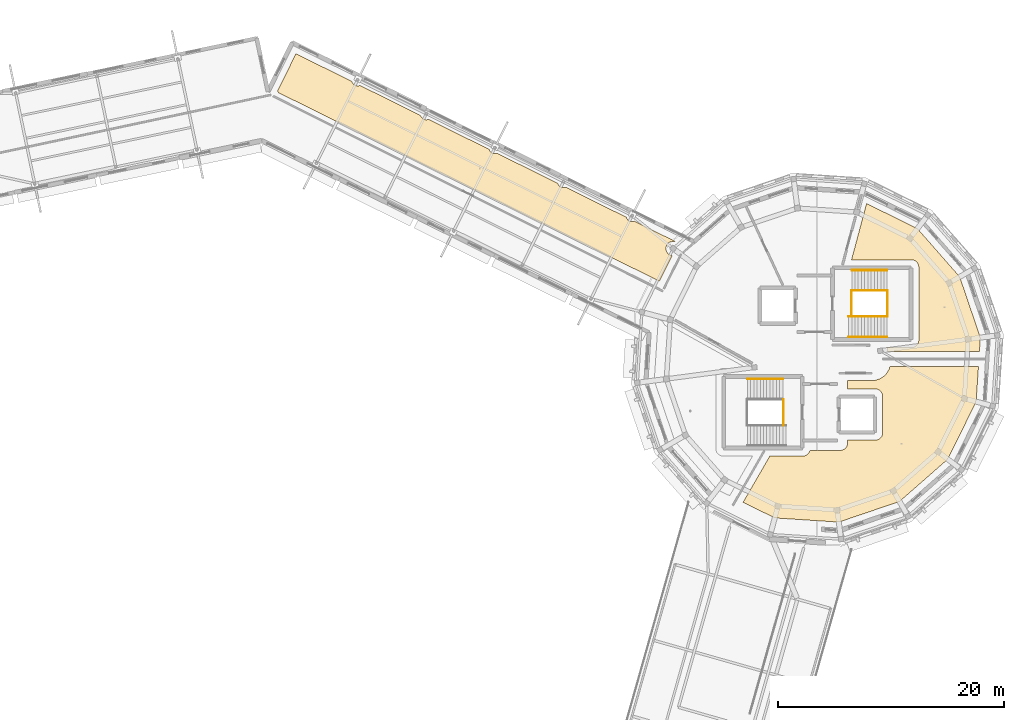
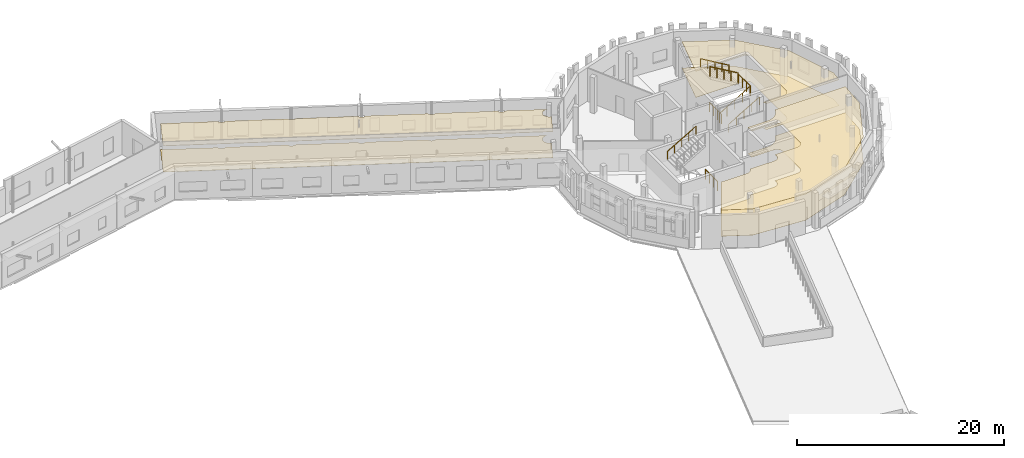
# One storey, part 68 of 68: 8 railings, 6 coverings.
"""IFC4 building model written with IfcOpenShell, lengths in metres."""

from ifc_helpers import new_model, si_unit, direction, frame, origin, origin_2d, place, context, subcontext, project, spatial, polyline, circle, outline, extrude, material, layer, layer_set, type_object, element, save


model = new_model("IFC4")

# Units and contexts
model_context = context("Model", 3, precision=1e-05, world=origin(), true_north=direction((0.0, 1.0)))
body_context = subcontext(model_context, "Body", "Model", "MODEL_VIEW")
ifc_project = project(units=[si_unit("LENGTHUNIT", "METRE"), si_unit("AREAUNIT", "SQUARE_METRE"), si_unit("VOLUMEUNIT", "CUBIC_METRE"), si_unit("PLANEANGLEUNIT", "RADIAN"), si_unit("MASSUNIT", "GRAM", prefix="KILO")], contexts=[model_context])

# Site, building, storey
site_placement = place(None, origin())
site = spatial("IfcSite", under=ifc_project, at=site_placement, CompositionType="ELEMENT")
building_placement = place(site_placement, origin())
building = spatial("IfcBuilding", under=site, at=building_placement, Name="Wrenclough Park School", CompositionType="ELEMENT")
storey_placement = place(building_placement, frame((0.0, 0.0, 12.60009765625)))
storey = spatial("IfcBuildingStorey", under=building, at=storey_placement, Name="L03", CompositionType="ELEMENT", Elevation=12.60009765625)

# Coverings
ifc_material_1 = material(Name="Class A mineral-fibre acoustic ceiling raft", Category="gypsum")
ifc_layer_1 = layer(ifc_material_1, 0.044921875)
ifc_layer_set_1 = layer_set([ifc_layer_1], Name="Class A mineral-fibre acoustic ceiling raft")
covering_type_1 = type_object("IfcCoveringType", Name="INT-COV-CEIL", PredefinedType="CEILING", material=ifc_layer_set_1)
covering_1_placement = place(storey_placement, frame((0.0, 0.0, 3.054931640625)))
element("IfcCovering", 1, at=covering_1_placement, inside=storey, type_object=covering_type_1, Name="Main Learning Resource Library acoustic ceiling raft", PredefinedType="CEILING", context=body_context, shape_type="SweptSolid", body=[
    extrude(outline(polyline([(176.52001953125, 85.429931640625), (173.851806640625, 85.429931640625), (173.820556640625, 85.331298828125), (173.760498046875, 85.218994140625), (173.722412109375, 85.16748046875), (173.63232421875, 85.077392578125), (173.5810546875, 85.03955078125), (173.46875, 84.9794921875), (173.3466796875, 84.9423828125), (173.28369140625, 84.93310546875), (170.302734375, 84.929931640625), (167.94189453125, 80.841064453125), (170.738525390625, 79.4619140625), (176.39697265625, 79.091064453125), (181.7666015625, 80.913818359375), (186.030029296875, 84.652587890625), (188.5380859375, 89.738525390625), (188.7421875, 92.85009765625), (180.92138671875, 92.85009765625), (180.852294921875, 92.6240234375), (180.677734375, 92.30908203125), (180.6162109375, 92.2197265625), (180.431884765625, 92.0263671875), (180.32861328125, 91.939697265625), (180.096435546875, 91.7890625), (179.760009765625, 91.660888671875), (179.65771484375, 91.6328125), (179.60498046875, 91.625), (179.33251953125, 91.60009765625), (177.16455078125, 91.60009765625), (177.169921875, 91.52001953125), (177.169921875, 90.8701171875), (179.68359375, 90.866943359375), (179.80859375, 90.842041015625), (179.86865234375, 90.820556640625), (179.981201171875, 90.760498046875), (180.07958984375, 90.6796875), (180.160400390625, 90.5810546875), (180.193115234375, 90.5263671875), (180.241943359375, 90.40869140625), (180.257568359375, 90.3466796875), (180.27001953125, 90.219970703125), (180.266845703125, 86.916259765625), (180.257568359375, 86.853271484375), (180.220458984375, 86.731201171875), (180.193115234375, 86.673583984375), (180.12255859375, 86.567626953125), (180.07958984375, 86.5205078125), (179.981201171875, 86.439453125), (179.86865234375, 86.37939453125), (179.746826171875, 86.342529296875), (179.6201171875, 86.330078125), (177.169921875, 86.330078125), (177.169921875, 86.080078125), (177.157470703125, 85.953125), (177.12060546875, 85.831298828125), (177.060546875, 85.718994140625), (177.0224609375, 85.66748046875), (176.932373046875, 85.577392578125), (176.826416015625, 85.5068359375), (176.708740234375, 85.4580078125), (176.646728515625, 85.4423828125), (176.52001953125, 85.429931640625)])), origin(), (0.0, 0.0, 1.0), 0.044921875),
])
covering_2_placement = place(storey_placement, frame((0.0, 0.0, 3.054931640625)))
element("IfcCovering", 2, at=covering_2_placement, inside=storey, type_object=covering_type_1, Name="Quiet Reading Library Gallery acoustic ceiling raft", PredefinedType="CEILING", context=body_context, shape_type="SweptSolid", body=[
    extrude(outline(polyline([(182.820068359375, 94.530029296875), (180.623291015625, 94.530029296875), (180.669189453125, 94.418212890625), (180.6845703125, 94.356689453125), (180.69384765625, 94.294189453125), (180.694091796875, 94.169921875), (188.82861328125, 94.169921875), (188.908935546875, 95.39697265625), (187.086181640625, 100.7666015625), (183.347412109375, 105.030029296875), (178.85595703125, 107.2451171875), (178.650390625, 106.477783203125), (178.63818359375, 106.361328125), (178.622314453125, 106.297607421875), (178.5673828125, 106.168701171875), (177.522705078125, 102.27001953125), (182.8837890625, 102.266845703125), (182.94677734375, 102.257568359375), (183.068603515625, 102.220458984375), (183.18115234375, 102.160400390625), (183.232421875, 102.12255859375), (183.322509765625, 102.032470703125), (183.360595703125, 101.981201171875), (183.393310546875, 101.926513671875), (183.44189453125, 101.80859375), (183.45751953125, 101.746826171875), (183.469970703125, 101.6201171875), (183.466796875, 95.1162109375), (183.44189453125, 94.9912109375), (183.393310546875, 94.87353515625), (183.322509765625, 94.767578125), (183.232421875, 94.677490234375), (183.12646484375, 94.606689453125), (183.0087890625, 94.55810546875), (182.94677734375, 94.54248046875), (182.820068359375, 94.530029296875)])), origin(), (0.0, 0.0, 1.0), 0.044921875),
])
covering_3_placement = place(storey_placement, frame((0.0, 0.0, 3.054931640625)))
element("IfcCovering", 3, at=covering_3_placement, inside=storey, type_object=covering_type_1, Name="Sixth Form Tutorial Classroom L03 acoustic ceiling raft", PredefinedType="CEILING", context=body_context, shape_type="SweptSolid", body=[
    extrude(outline(polyline([(126.8916015625, 117.036376953125), (160.544189453125, 100.3837890625), (161.661376953125, 102.635498046875), (161.579833984375, 102.65380859375), (161.520263671875, 102.675048828125), (161.40869140625, 102.734619140625), (161.310791015625, 102.81494140625), (161.230712890625, 102.91259765625), (161.171142578125, 103.024169921875), (161.134521484375, 103.145263671875), (161.1220703125, 103.27099609375), (161.134521484375, 103.396728515625), (161.14990234375, 103.458251953125), (161.1982421875, 103.5751953125), (161.268310546875, 103.68017578125), (161.35791015625, 103.76953125), (161.462890625, 103.83984375), (161.579833984375, 103.88818359375), (161.703857421875, 103.912841796875), (161.830078125, 103.912841796875), (161.892822265625, 103.903564453125), (161.9833984375, 103.877685546875), (158.331298828125, 105.68505859375), (158.234375, 105.655517578125), (158.182861328125, 105.64794921875), (158.0791015625, 105.64794921875), (157.977294921875, 105.668212890625), (157.88134765625, 105.7080078125), (157.795166015625, 105.765625), (157.7216796875, 105.839111328125), (157.6640625, 105.92529296875), (157.620361328125, 106.036865234375), (152.268798828125, 108.68505859375), (152.17138671875, 108.655517578125), (152.119873046875, 108.64794921875), (152.01611328125, 108.64794921875), (151.914306640625, 108.668212890625), (151.818359375, 108.7080078125), (151.732177734375, 108.765625), (151.65869140625, 108.839111328125), (151.60107421875, 108.92529296875), (151.557373046875, 109.037109375), (146.206298828125, 111.684814453125), (146.109375, 111.655517578125), (146.057861328125, 111.64794921875), (145.9541015625, 111.64794921875), (145.852294921875, 111.668212890625), (145.75634765625, 111.7080078125), (145.670166015625, 111.765625), (145.5966796875, 111.839111328125), (145.5390625, 111.92529296875), (145.495361328125, 112.036865234375), (140.1435546875, 114.68505859375), (140.04638671875, 114.655517578125), (139.994873046875, 114.64794921875), (139.89111328125, 114.64794921875), (139.789306640625, 114.668212890625), (139.693359375, 114.7080078125), (139.607177734375, 114.765625), (139.53369140625, 114.839111328125), (139.47607421875, 114.92529296875), (139.432373046875, 115.037109375), (134.081298828125, 117.684814453125), (133.984375, 117.655517578125), (133.932861328125, 117.64794921875), (133.8291015625, 117.64794921875), (133.727294921875, 117.668212890625), (133.63134765625, 117.7080078125), (133.545166015625, 117.765625), (133.4716796875, 117.839111328125), (133.4140625, 117.92529296875), (133.370361328125, 118.036865234375), (128.425048828125, 120.48388671875), (126.794677734375, 117.189453125), (126.856689453125, 117.10400390625), (126.8916015625, 117.036376953125)])), origin(), (0.0, 0.0, 1.0), 0.044921875),
])
ifc_material_2 = material(Name="Acoustic natural linoleum school flooring", Category="wood")
ifc_layer_2 = layer(ifc_material_2, 0.014892578125)
ifc_layer_set_2 = layer_set([ifc_layer_2], Name="Acoustic natural linoleum school flooring")
covering_type_2 = type_object("IfcCoveringType", Name="INT-COV-FLOOR1", PredefinedType="FLOORING", material=ifc_layer_set_2)
covering_4_placement = place(storey_placement, origin())
element("IfcCovering", 4, at=covering_4_placement, inside=storey, type_object=covering_type_2, Name="Main Learning Resource Library floor finish", PredefinedType="FLOORING", context=body_context, shape_type="SweptSolid", body=[
    extrude(outline(polyline([(176.52001953125, 85.429931640625), (173.851806640625, 85.429931640625), (173.820556640625, 85.331298828125), (173.760498046875, 85.218994140625), (173.722412109375, 85.16748046875), (173.63232421875, 85.077392578125), (173.5810546875, 85.03955078125), (173.46875, 84.9794921875), (173.3466796875, 84.9423828125), (173.28369140625, 84.93310546875), (170.302734375, 84.929931640625), (167.94189453125, 80.841064453125), (170.738525390625, 79.4619140625), (176.39697265625, 79.091064453125), (181.7666015625, 80.913818359375), (186.030029296875, 84.652587890625), (188.5380859375, 89.738525390625), (188.7421875, 92.85009765625), (180.92138671875, 92.85009765625), (180.852294921875, 92.6240234375), (180.677734375, 92.30908203125), (180.6162109375, 92.2197265625), (180.431884765625, 92.0263671875), (180.32861328125, 91.939697265625), (180.096435546875, 91.7890625), (179.760009765625, 91.660888671875), (179.65771484375, 91.6328125), (179.60498046875, 91.625), (179.33251953125, 91.60009765625), (177.16455078125, 91.60009765625), (177.169921875, 91.52001953125), (177.169921875, 90.8701171875), (179.68359375, 90.866943359375), (179.80859375, 90.842041015625), (179.86865234375, 90.820556640625), (179.981201171875, 90.760498046875), (180.07958984375, 90.6796875), (180.160400390625, 90.5810546875), (180.193115234375, 90.5263671875), (180.241943359375, 90.40869140625), (180.257568359375, 90.3466796875), (180.27001953125, 90.219970703125), (180.266845703125, 86.916259765625), (180.257568359375, 86.853271484375), (180.220458984375, 86.731201171875), (180.193115234375, 86.673583984375), (180.12255859375, 86.567626953125), (180.07958984375, 86.5205078125), (179.981201171875, 86.439453125), (179.86865234375, 86.37939453125), (179.746826171875, 86.342529296875), (179.6201171875, 86.330078125), (177.169921875, 86.330078125), (177.169921875, 86.080078125), (177.157470703125, 85.953125), (177.12060546875, 85.831298828125), (177.060546875, 85.718994140625), (177.0224609375, 85.66748046875), (176.932373046875, 85.577392578125), (176.826416015625, 85.5068359375), (176.708740234375, 85.4580078125), (176.646728515625, 85.4423828125), (176.52001953125, 85.429931640625)])), origin(), (0.0, 0.0, 1.0), 0.014892578125),
])
covering_5_placement = place(storey_placement, origin())
element("IfcCovering", 5, at=covering_5_placement, inside=storey, type_object=covering_type_2, Name="Quiet Reading Library Gallery floor finish", PredefinedType="FLOORING", context=body_context, shape_type="SweptSolid", body=[
    extrude(outline(polyline([(182.820068359375, 94.530029296875), (180.623291015625, 94.530029296875), (180.669189453125, 94.418212890625), (180.6845703125, 94.356689453125), (180.69384765625, 94.294189453125), (180.694091796875, 94.169921875), (188.82861328125, 94.169921875), (188.908935546875, 95.39697265625), (187.086181640625, 100.7666015625), (183.347412109375, 105.030029296875), (178.85595703125, 107.2451171875), (178.650390625, 106.477783203125), (178.63818359375, 106.361328125), (178.622314453125, 106.297607421875), (178.5673828125, 106.168701171875), (177.522705078125, 102.27001953125), (182.8837890625, 102.266845703125), (182.94677734375, 102.257568359375), (183.068603515625, 102.220458984375), (183.18115234375, 102.160400390625), (183.232421875, 102.12255859375), (183.322509765625, 102.032470703125), (183.360595703125, 101.981201171875), (183.393310546875, 101.926513671875), (183.44189453125, 101.80859375), (183.45751953125, 101.746826171875), (183.469970703125, 101.6201171875), (183.466796875, 95.1162109375), (183.44189453125, 94.9912109375), (183.393310546875, 94.87353515625), (183.322509765625, 94.767578125), (183.232421875, 94.677490234375), (183.12646484375, 94.606689453125), (183.0087890625, 94.55810546875), (182.94677734375, 94.54248046875), (182.820068359375, 94.530029296875)])), origin(), (0.0, 0.0, 1.0), 0.014892578125),
])
covering_6_placement = place(storey_placement, origin())
element("IfcCovering", 6, at=covering_6_placement, inside=storey, type_object=covering_type_2, Name="Sixth Form Tutorial Classroom L03 floor finish", PredefinedType="FLOORING", context=body_context, shape_type="SweptSolid", body=[
    extrude(outline(polyline([(126.8916015625, 117.036376953125), (160.544189453125, 100.3837890625), (161.661376953125, 102.635498046875), (161.579833984375, 102.65380859375), (161.520263671875, 102.675048828125), (161.40869140625, 102.734619140625), (161.310791015625, 102.81494140625), (161.230712890625, 102.91259765625), (161.171142578125, 103.024169921875), (161.134521484375, 103.145263671875), (161.1220703125, 103.27099609375), (161.134521484375, 103.396728515625), (161.14990234375, 103.458251953125), (161.1982421875, 103.5751953125), (161.268310546875, 103.68017578125), (161.35791015625, 103.76953125), (161.462890625, 103.83984375), (161.579833984375, 103.88818359375), (161.703857421875, 103.912841796875), (161.830078125, 103.912841796875), (161.892822265625, 103.903564453125), (161.9833984375, 103.877685546875), (158.331298828125, 105.68505859375), (158.234375, 105.655517578125), (158.182861328125, 105.64794921875), (158.0791015625, 105.64794921875), (157.977294921875, 105.668212890625), (157.88134765625, 105.7080078125), (157.795166015625, 105.765625), (157.7216796875, 105.839111328125), (157.6640625, 105.92529296875), (157.620361328125, 106.036865234375), (152.268798828125, 108.68505859375), (152.17138671875, 108.655517578125), (152.119873046875, 108.64794921875), (152.01611328125, 108.64794921875), (151.914306640625, 108.668212890625), (151.818359375, 108.7080078125), (151.732177734375, 108.765625), (151.65869140625, 108.839111328125), (151.60107421875, 108.92529296875), (151.557373046875, 109.037109375), (146.206298828125, 111.684814453125), (146.109375, 111.655517578125), (146.057861328125, 111.64794921875), (145.9541015625, 111.64794921875), (145.852294921875, 111.668212890625), (145.75634765625, 111.7080078125), (145.670166015625, 111.765625), (145.5966796875, 111.839111328125), (145.5390625, 111.92529296875), (145.495361328125, 112.036865234375), (140.1435546875, 114.68505859375), (140.04638671875, 114.655517578125), (139.994873046875, 114.64794921875), (139.89111328125, 114.64794921875), (139.789306640625, 114.668212890625), (139.693359375, 114.7080078125), (139.607177734375, 114.765625), (139.53369140625, 114.839111328125), (139.47607421875, 114.92529296875), (139.432373046875, 115.037109375), (134.081298828125, 117.684814453125), (133.984375, 117.655517578125), (133.932861328125, 117.64794921875), (133.8291015625, 117.64794921875), (133.727294921875, 117.668212890625), (133.63134765625, 117.7080078125), (133.545166015625, 117.765625), (133.4716796875, 117.839111328125), (133.4140625, 117.92529296875), (133.370361328125, 118.036865234375), (128.425048828125, 120.48388671875), (126.794677734375, 117.189453125), (126.856689453125, 117.10400390625), (126.8916015625, 117.036376953125)])), origin(), (0.0, 0.0, 1.0), 0.014892578125),
])

# Railings
ifc_material_3 = material(Name="Powder-coated steel vertical-baluster stair and atrium guard", Category="steel")
railing_type_1 = type_object("IfcRailingType", Name="INT-RL-GD1120", PredefinedType="GUARDRAIL", material=ifc_material_3)
for number, where, name in (
    (7, (171.4951171875, 87.64990234375, 0.0), "ST-05 L03 well guard 1"),
    (8, (177.5048828125, 97.25, 0.0), "ST-06 L03 well guard 1"),
):
    element("IfcRailing", number, at=place(storey_placement, frame(where)), inside=storey, type_object=railing_type_1, Name=name, PredefinedType="GUARDRAIL", context=body_context, shape_type="SweptSolid", body=[
        extrude(circle(Radius=0.02392578125, at=origin_2d()), frame((0.0, 0.0, 1.09619140625), z_axis=(0.0, 1.0, 0.0), x_axis=(-1.0, 0.0, 0.0)), (0.0, 0.0, 1.0), 2.300048828125),
        extrude(circle(Radius=0.02099609375, at=origin_2d()), origin(), (0.0, 0.0, 1.0), 1.072021484375),
        extrude(circle(Radius=0.02099609375, at=origin_2d()), frame((0.0, 0.7666015625, 0.0)), (0.0, 0.0, 1.0), 1.072021484375),
        extrude(circle(Radius=0.02099609375, at=origin_2d()), frame((0.0, 1.533447265625, 0.0)), (0.0, 0.0, 1.0), 1.072021484375),
        extrude(circle(Radius=0.02099609375, at=origin_2d()), frame((0.0, 2.300048828125, 0.0)), (0.0, 0.0, 1.0), 1.072021484375),
    ])
railing_1_placement = place(storey_placement, frame((177.260009765625, 97.25, 0.16796875)))
element("IfcRailing", 9, at=railing_1_placement, inside=storey, type_object=railing_type_1, Name="ST-06 L03 well guard 2", PredefinedType="GUARDRAIL", context=body_context, shape_type="SweptSolid", body=[
    extrude(circle(Radius=0.02392578125, at=origin_2d()), frame((0.0, 0.0, 1.09619140625), z_axis=(0.861476970849, 0.0, 0.507796641084), x_axis=(0.0, 1.0, 0.0)), (0.0, 0.0, 1.0), 3.9697265625),
    extrude(circle(Radius=0.02099609375, at=origin_2d()), origin(), (0.0, 0.0, 1.0), 1.072021484375),
    extrude(circle(Radius=0.02099609375, at=origin_2d()), frame((0.85498046875, 0.0, 0.50390625)), (0.0, 0.0, 1.0), 1.072021484375),
    extrude(circle(Radius=0.02099609375, at=origin_2d()), frame((1.7099609375, 0.0, 1.0078125)), (0.0, 0.0, 1.0), 1.072021484375),
    extrude(circle(Radius=0.02099609375, at=origin_2d()), frame((2.56494140625, 0.0, 1.511962890625)), (0.0, 0.0, 1.0), 1.072021484375),
    extrude(circle(Radius=0.02099609375, at=origin_2d()), frame((3.419921875, 0.0, 2.015869140625)), (0.0, 0.0, 1.0), 1.072021484375),
])
railing_2_placement = place(storey_placement, frame((180.719970703125, 97.25, 2.183837890625)))
element("IfcRailing", 10, at=railing_2_placement, inside=storey, type_object=railing_type_1, Name="ST-06 L03 well guard 3", PredefinedType="GUARDRAIL", context=body_context, shape_type="SweptSolid", body=[
    extrude(circle(Radius=0.02392578125, at=origin_2d()), frame((0.0, 0.0, 1.09619140625), z_axis=(0.0, 1.0, 0.0), x_axis=(-1.0, 0.0, 0.0)), (0.0, 0.0, 1.0), 2.300048828125),
    extrude(circle(Radius=0.02099609375, at=origin_2d()), origin(), (0.0, 0.0, 1.0), 1.072021484375),
    extrude(circle(Radius=0.02099609375, at=origin_2d()), frame((0.0, 0.7666015625, 0.0)), (0.0, 0.0, 1.0), 1.072021484375),
    extrude(circle(Radius=0.02099609375, at=origin_2d()), frame((0.0, 1.533447265625, 0.0)), (0.0, 0.0, 1.0), 1.072021484375),
    extrude(circle(Radius=0.02099609375, at=origin_2d()), frame((0.0, 2.300048828125, 0.0)), (0.0, 0.0, 1.0), 1.072021484375),
])
railing_3_placement = place(storey_placement, frame((180.679931640625, 99.550048828125, 2.351806640625)))
element("IfcRailing", 11, at=railing_3_placement, inside=storey, type_object=railing_type_1, Name="ST-06 L03 well guard 4", PredefinedType="GUARDRAIL", context=body_context, shape_type="SweptSolid", body=[
    extrude(circle(Radius=0.02392578125, at=origin_2d()), frame((0.0, 0.0, 1.09619140625), z_axis=(-0.861450943231, 0.0, 0.507840794351), x_axis=(0.0, -1.0, 0.0)), (0.0, 0.0, 1.0), 3.63916015625),
    extrude(circle(Radius=0.02099609375, at=origin_2d()), origin(), (0.0, 0.0, 1.0), 1.072021484375),
    extrude(circle(Radius=0.02099609375, at=origin_2d()), frame((-0.78369140625, 0.0, 0.4619140625)), (0.0, 0.0, 1.0), 1.072021484375),
    extrude(circle(Radius=0.02099609375, at=origin_2d()), frame((-1.5673828125, 0.0, 0.924072265625)), (0.0, 0.0, 1.0), 1.072021484375),
    extrude(circle(Radius=0.02099609375, at=origin_2d()), frame((-2.351318359375, 0.0, 1.38623046875)), (0.0, 0.0, 1.0), 1.072021484375),
    extrude(circle(Radius=0.02099609375, at=origin_2d()), frame((-3.135009765625, 0.0, 1.84814453125)), (0.0, 0.0, 1.0), 1.072021484375),
])
ifc_material_4 = material(Name="Brushed stainless steel tubular handrail", Category="steel")
railing_type_2 = type_object("IfcRailingType", Name="INT-RL-HR950", PredefinedType="HANDRAIL", material=ifc_material_4)
railing_4_placement = place(storey_placement, frame((168.320068359375, 91.75, 2.351806640625)))
element("IfcRailing", 12, at=railing_4_placement, inside=storey, type_object=railing_type_2, Name="ST-05 L03 pitch handrail 2", PredefinedType="HANDRAIL", context=body_context, shape_type="SweptSolid", body=[
    extrude(circle(Radius=0.02392578125, at=origin_2d()), frame((0.0, 0.0, 0.92578125), z_axis=(0.861450943231, 0.0, 0.507840794351), x_axis=(0.0, 1.0, 0.0)), (0.0, 0.0, 1.0), 3.63916015625),
    extrude(circle(Radius=0.02099609375, at=origin_2d()), origin(), (0.0, 0.0, 1.0), 0.90185546875),
    extrude(circle(Radius=0.02099609375, at=origin_2d()), frame((0.78369140625, 0.0, 0.4619140625)), (0.0, 0.0, 1.0), 0.90185546875),
    extrude(circle(Radius=0.02099609375, at=origin_2d()), frame((1.5673828125, 0.0, 0.924072265625)), (0.0, 0.0, 1.0), 0.90185546875),
    extrude(circle(Radius=0.02099609375, at=origin_2d()), frame((2.351318359375, 0.0, 1.38623046875)), (0.0, 0.0, 1.0), 0.90185546875),
    extrude(circle(Radius=0.02099609375, at=origin_2d()), frame((3.135009765625, 0.0, 1.84814453125)), (0.0, 0.0, 1.0), 0.90185546875),
])
railing_5_placement = place(storey_placement, frame((177.260009765625, 95.449951171875, 0.16796875)))
element("IfcRailing", 13, at=railing_5_placement, inside=storey, type_object=railing_type_2, Name="ST-06 L03 pitch handrail 1", PredefinedType="HANDRAIL", context=body_context, shape_type="SweptSolid", body=[
    extrude(circle(Radius=0.02392578125, at=origin_2d()), frame((0.0, 0.0, 0.92578125), z_axis=(0.861476970849, 0.0, 0.507796641084), x_axis=(0.0, 1.0, 0.0)), (0.0, 0.0, 1.0), 3.9697265625),
    extrude(circle(Radius=0.02099609375, at=origin_2d()), origin(), (0.0, 0.0, 1.0), 0.90185546875),
    extrude(circle(Radius=0.02099609375, at=origin_2d()), frame((0.85498046875, 0.0, 0.50390625)), (0.0, 0.0, 1.0), 0.90185546875),
    extrude(circle(Radius=0.02099609375, at=origin_2d()), frame((1.7099609375, 0.0, 1.0078125)), (0.0, 0.0, 1.0), 0.90185546875),
    extrude(circle(Radius=0.02099609375, at=origin_2d()), frame((2.56494140625, 0.0, 1.511962890625)), (0.0, 0.0, 1.0), 0.90185546875),
    extrude(circle(Radius=0.02099609375, at=origin_2d()), frame((3.419921875, 0.0, 2.015869140625)), (0.0, 0.0, 1.0), 0.90185546875),
])
railing_6_placement = place(storey_placement, frame((180.679931640625, 101.35009765625, 2.351806640625)))
element("IfcRailing", 14, at=railing_6_placement, inside=storey, type_object=railing_type_2, Name="ST-06 L03 pitch handrail 2", PredefinedType="HANDRAIL", context=body_context, shape_type="SweptSolid", body=[
    extrude(circle(Radius=0.02392578125, at=origin_2d()), frame((0.0, 0.0, 0.92578125), z_axis=(-0.861450943231, 0.0, 0.507840794351), x_axis=(0.0, -1.0, 0.0)), (0.0, 0.0, 1.0), 3.63916015625),
    extrude(circle(Radius=0.02099609375, at=origin_2d()), origin(), (0.0, 0.0, 1.0), 0.90185546875),
    extrude(circle(Radius=0.02099609375, at=origin_2d()), frame((-0.78369140625, 0.0, 0.4619140625)), (0.0, 0.0, 1.0), 0.90185546875),
    extrude(circle(Radius=0.02099609375, at=origin_2d()), frame((-1.5673828125, 0.0, 0.924072265625)), (0.0, 0.0, 1.0), 0.90185546875),
    extrude(circle(Radius=0.02099609375, at=origin_2d()), frame((-2.351318359375, 0.0, 1.38623046875)), (0.0, 0.0, 1.0), 0.90185546875),
    extrude(circle(Radius=0.02099609375, at=origin_2d()), frame((-3.135009765625, 0.0, 1.84814453125)), (0.0, 0.0, 1.0), 0.90185546875),
])

save(model, "model.ifc")
